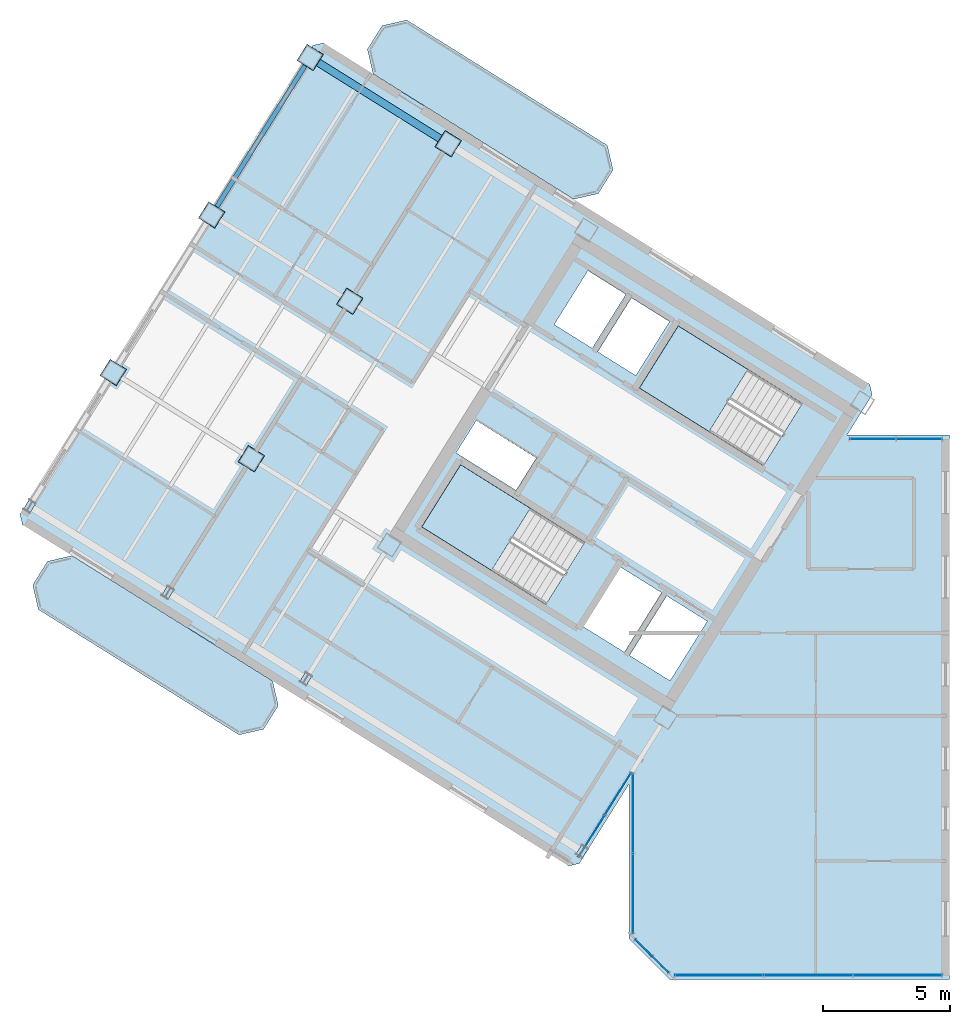
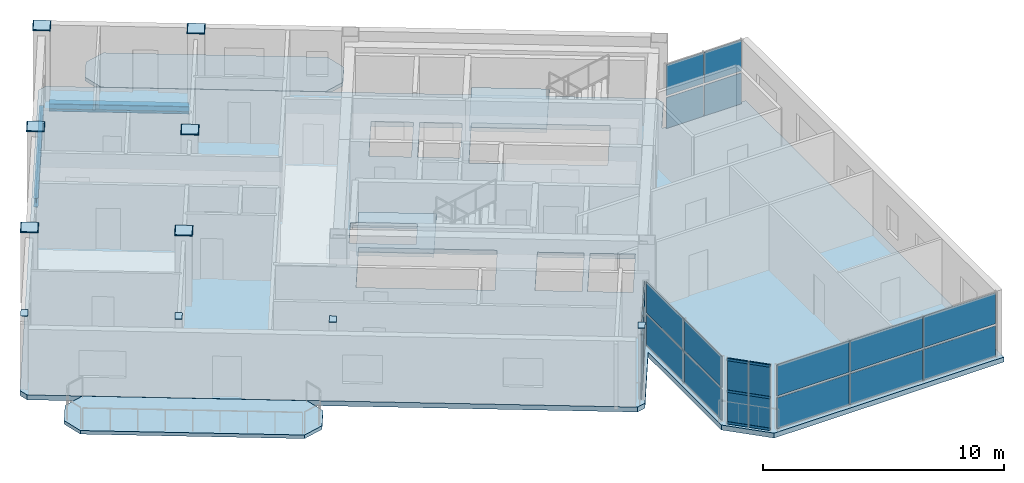
# One storey, part 6 of 13: 38 plates, 6 members, 5 slabs, 2 beams, 7 elements without a shape of their own.
"""IFC4 building model written with IfcOpenShell, lengths in metres."""

from ifc_helpers import new_model, si_unit, direction, frame, origin, origin_2d, place, context, subcontext, project, spatial, polyline, rectangle, hollow_rectangle, i_section, outline, extrude, source, transform, mapped, material, layer, layer_set, material_profile, profile_set, type_object, element, aggregate, save


model = new_model("IFC4")

# Units and contexts
model_context = context("Model", 3, precision=1e-05, world=origin(), true_north=direction((0.0, 1.0)))
body_context = subcontext(model_context, "Body", "Model", "MODEL_VIEW")
ifc_project = project(units=[si_unit("LENGTHUNIT", "METRE"), si_unit("AREAUNIT", "SQUARE_METRE"), si_unit("VOLUMEUNIT", "CUBIC_METRE"), si_unit("PLANEANGLEUNIT", "RADIAN"), si_unit("MASSUNIT", "GRAM", prefix="KILO")], contexts=[model_context])

# Site, building, storey
site_placement = place(None, origin())
site = spatial("IfcSite", under=ifc_project, at=site_placement, CompositionType="ELEMENT")
building_placement = place(site_placement, origin())
building = spatial("IfcBuilding", under=site, at=building_placement, Name="Tlacorven Tower", CompositionType="ELEMENT")
storey_placement = place(building_placement, frame((0.0, 0.0, 295.199951171875)))
storey = spatial("IfcBuildingStorey", under=building, at=storey_placement, Name="L75", CompositionType="ELEMENT", Elevation=295.199951171875)

# Beams
ifc_material_1 = material(Name="Steel S355J2", Category="steel")
ifc_material_profile_1 = material_profile(ifc_material_1, i_section(OverallWidth=0.300048828125, OverallDepth=0.389892578125, WebThickness=0.010986328125, FlangeThickness=0.01904296875, at=origin_2d()), Name="HEA 400")
ifc_profile_set_1 = profile_set([ifc_material_profile_1], Name="Steel S355J2")
beam_type_1 = type_object("IfcBeamType", Name="BM-SPN-400", PredefinedType="SPANDREL", material=ifc_profile_set_1)
shared_shape_1 = source(origin(), body_context, "Body", "SweptSolid", [
    extrude(i_section(OverallWidth=0.300048828125, OverallDepth=0.389892578125, WebThickness=0.010986328125, FlangeThickness=0.01904296875, at=origin_2d()), origin(), (0.0, 0.0, 1.0), 5.800048828125),
])
beam_1_placement = place(storey_placement, frame((24.24609375, 34.8017578125, -0.445068359375), z_axis=(-0.848052689693, 0.529911912967, 0.0), x_axis=(-0.529911912967, -0.848052689693, 0.0)))
element("IfcBeam", 1, at=beam_1_placement, inside=storey, type_object=beam_type_1, Name="L75 beam BM-L75-WL1-4", PredefinedType="SPANDREL", context=body_context, shape_type="MappedRepresentation", body=[
    mapped(shared_shape_1, transform((0.0, 0.0, 0.0), scale=1.0)),
])
ifc_material_profile_2 = material_profile(ifc_material_1, i_section(OverallWidth=0.18994140625, OverallDepth=0.449951171875, WebThickness=0.009521484375, FlangeThickness=0.0146484375, at=origin_2d()), Name="IPE 450")
ifc_profile_set_2 = profile_set([ifc_material_profile_2], Name="Steel S355J2")
beam_type_2 = type_object("IfcBeamType", Name="BM-TWR-450", PredefinedType="BEAM", material=ifc_profile_set_2)
shared_shape_2 = source(origin(), body_context, "Body", "SweptSolid", [
    extrude(i_section(OverallWidth=0.18994140625, OverallDepth=0.449951171875, WebThickness=0.009521484375, FlangeThickness=0.0146484375, at=origin_2d()), origin(), (0.0, 0.0, 1.0), 6.7001953125),
])
beam_2_placement = place(storey_placement, frame((18.9140625, 37.780029296875, -0.474853515625), z_axis=(-0.52991377951, -0.848051523367, 0.0), x_axis=(0.848051523367, -0.52991377951, 0.0)))
element("IfcBeam", 2, at=beam_2_placement, inside=storey, type_object=beam_type_2, Name="L75 beam BM-L75-WT5-1", PredefinedType="BEAM", context=body_context, shape_type="MappedRepresentation", body=[
    mapped(shared_shape_2, transform((0.0, 0.0, 0.0), scale=1.0)),
])

# Curtain wall, members
ifc_material_2 = material(Name="Dark solar low-E double glazing in aluminium frame", Category="aluminium")
curtain_wall_type = type_object("IfcCurtainWallType", Name="CW-TWR-HIGH", PredefinedType="USERDEFINED", material=ifc_material_2)
curtain_wall_1_placement = place(storey_placement, origin())
curtain_wall_1 = element("IfcCurtainWall", 3, at=curtain_wall_1_placement, inside=storey, type_object=curtain_wall_type, Name="L75 CW-TWR-HIGH Curtain Wall 350", ObjectType="UNITISED CURTAIN WALL", PredefinedType="USERDEFINED")
ifc_material_3 = material(Name="Aluminium 6063-T6 anodised", Category="aluminium")
ifc_material_profile_3 = material_profile(ifc_material_3, hollow_rectangle(XDim=0.054931640625, YDim=0.1201171875, WallThickness=0.00341796875, at=origin_2d()), Name="ALU TRANSOM 55X120")
ifc_profile_set_3 = profile_set([ifc_material_profile_3], Name="Aluminium 6063-T6 anodised")
member_type = type_object("IfcMemberType", Name="CWT-03", PredefinedType="USERDEFINED", material=ifc_profile_set_3)
shared_shape_3 = source(origin(), body_context, "Body", "SweptSolid", [
    extrude(hollow_rectangle(XDim=0.054931640625, YDim=0.1201171875, WallThickness=0.00341796875, at=origin_2d()), origin(), (0.0, 0.0, 1.0), 0.899169921875),
])
member_1_placement = place(storey_placement, frame((33.16162109375, 2.064697265625, 0.06005859375), z_axis=(-0.707106781187, 0.707106781187, 0.0), x_axis=(-0.707106781187, -0.707106781187, 0.0)))
member_1 = element("IfcMember", 4, at=member_1_placement, type_object=member_type, Name="CW-L75-350 Transom 1", ObjectType="TRANSOM", PredefinedType="USERDEFINED", context=body_context, shape_type="MappedRepresentation", body=[
    mapped(shared_shape_3, transform((0.0, 0.0, 0.0), scale=1.0)),
])
member_2_placement = place(storey_placement, frame((33.16162109375, 2.064697265625, 1.66015625), z_axis=(-0.707106781187, 0.707106781187, 0.0), x_axis=(-0.707106781187, -0.707106781187, 0.0)))
member_2 = element("IfcMember", 5, at=member_2_placement, type_object=member_type, Name="CW-L75-350 Transom 2", ObjectType="TRANSOM", PredefinedType="USERDEFINED", context=body_context, shape_type="MappedRepresentation", body=[
    mapped(shared_shape_3, transform((0.0, 0.0, 0.0), scale=1.0)),
])
member_3_placement = place(storey_placement, frame((33.16162109375, 2.064697265625, 3.260009765625), z_axis=(-0.707106781187, 0.707106781187, 0.0), x_axis=(-0.707106781187, -0.707106781187, 0.0)))
member_3 = element("IfcMember", 6, at=member_3_placement, type_object=member_type, Name="CW-L75-350 Transom 3", ObjectType="TRANSOM", PredefinedType="USERDEFINED", context=body_context, shape_type="MappedRepresentation", body=[
    mapped(shared_shape_3, transform((0.0, 0.0, 0.0), scale=1.0)),
])
member_4_placement = place(storey_placement, frame((32.50048828125, 2.725830078125, 0.06005859375), z_axis=(-0.707106781187, 0.707106781187, 0.0), x_axis=(-0.707106781187, -0.707106781187, 0.0)))
member_4 = element("IfcMember", 7, at=member_4_placement, type_object=member_type, Name="CW-L75-350 Transom 4", ObjectType="TRANSOM", PredefinedType="USERDEFINED", context=body_context, shape_type="MappedRepresentation", body=[
    mapped(shared_shape_3, transform((0.0, 0.0, 0.0), scale=1.0)),
])
member_5_placement = place(storey_placement, frame((32.50048828125, 2.725830078125, 1.66015625), z_axis=(-0.707106781187, 0.707106781187, 0.0), x_axis=(-0.707106781187, -0.707106781187, 0.0)))
member_5 = element("IfcMember", 8, at=member_5_placement, type_object=member_type, Name="CW-L75-350 Transom 5", ObjectType="TRANSOM", PredefinedType="USERDEFINED", context=body_context, shape_type="MappedRepresentation", body=[
    mapped(shared_shape_3, transform((0.0, 0.0, 0.0), scale=1.0)),
])
member_6_placement = place(storey_placement, frame((32.50048828125, 2.725830078125, 3.260009765625), z_axis=(-0.707106781187, 0.707106781187, 0.0), x_axis=(-0.707106781187, -0.707106781187, 0.0)))
member_6 = element("IfcMember", 9, at=member_6_placement, type_object=member_type, Name="CW-L75-350 Transom 6", ObjectType="TRANSOM", PredefinedType="USERDEFINED", context=body_context, shape_type="MappedRepresentation", body=[
    mapped(shared_shape_3, transform((0.0, 0.0, 0.0), scale=1.0)),
])

# Slabs
ifc_material_4 = material(Name="Precast concrete C45/55", Category="concrete")
ifc_layer_1 = layer(ifc_material_4, 0.179931640625)
ifc_layer_set_1 = layer_set([ifc_layer_1], Name="Precast concrete C45/55")
slab_type_1 = type_object("IfcSlabType", Name="SL-BAL-180", PredefinedType="USERDEFINED", material=ifc_layer_set_1)
slab_1_placement = place(storey_placement, frame((0.0, 0.0, -0.179931640625)))
element("IfcSlab", 10, at=slab_1_placement, inside=storey, type_object=slab_type_1, Name="L75 West Wing Balcony Ribbon OUT", ObjectType="BALCONY SLAB", PredefinedType="USERDEFINED", context=body_context, shape_type="SweptSolid", body=[
    extrude(outline(polyline([(17.601318359375, 13.52490234375), (9.71435546875, 18.453125), (8.749755859375, 18.23046875), (8.169677734375, 17.3017578125), (8.392333984375, 16.33740234375), (16.279052734375, 11.408935546875), (17.24365234375, 11.6318359375), (17.823974609375, 12.560302734375), (17.601318359375, 13.52490234375)])), origin(), (0.0, 0.0, 1.0), 0.179931640625),
])
slab_2_placement = place(storey_placement, frame((0.0, 0.0, -0.179931640625)))
element("IfcSlab", 11, at=slab_2_placement, inside=storey, type_object=slab_type_1, Name="L75 West Wing Balcony Ribbon IN", ObjectType="BALCONY SLAB", PredefinedType="USERDEFINED", context=body_context, shape_type="SweptSolid", body=[
    extrude(outline(polyline([(30.756591796875, 34.57763671875), (22.86962890625, 39.505859375), (21.905029296875, 39.283203125), (21.324951171875, 38.354736328125), (21.547607421875, 37.39013671875), (29.434326171875, 32.4619140625), (30.39892578125, 32.6845703125), (30.979248046875, 33.613037109375), (30.756591796875, 34.57763671875)])), origin(), (0.0, 0.0, 1.0), 0.179931640625),
])

# Stair, slab
ifc_material_5 = material(Name="Concrete C40/50", Category="concrete")
stair_type = type_object("IfcStairType", Name="ST-CORE-DLG", PredefinedType="HALF_TURN_STAIR", material=ifc_material_5)
stair_1_placement = place(storey_placement, origin())
stair_1 = element("IfcStair", 12, at=stair_1_placement, inside=storey, type_object=stair_type, Name="L75 Protected Exit Stair West 1", PredefinedType="HALF_TURN_STAIR")
ifc_layer_2 = layer(ifc_material_5, 0.199951171875)
ifc_layer_set_2 = layer_set([ifc_layer_2], Name="Concrete C40/50")
slab_type_2 = type_object("IfcSlabType", Name="SL-LND-200", PredefinedType="LANDING", material=ifc_layer_set_2)
slab_3_placement = place(storey_placement, frame((0.0, 0.0, 1.60009765625)))
slab_3 = element("IfcSlab", 13, at=slab_3_placement, type_object=slab_type_2, Name="ST-W1 landing 1", PredefinedType="LANDING", context=body_context, shape_type="SweptSolid", body=[
    extrude(outline(polyline([(27.728515625, 20.315185546875), (24.9892578125, 22.02685546875), (23.463134765625, 19.58447265625), (26.2021484375, 17.872802734375), (27.728515625, 20.315185546875)])), origin(), (0.0, 0.0, 1.0), 0.199951171875),
])
aggregate(stair_1, [slab_3])

stair_2_placement = place(storey_placement, origin())
stair_2 = element("IfcStair", 14, at=stair_2_placement, inside=storey, type_object=stair_type, Name="L75 Protected Exit Stair West 2", PredefinedType="HALF_TURN_STAIR")
slab_4_placement = place(storey_placement, frame((0.0, 0.0, 1.60009765625)))
slab_4 = element("IfcSlab", 15, at=slab_4_placement, type_object=slab_type_2, Name="ST-W2 landing 1", PredefinedType="LANDING", context=body_context, shape_type="SweptSolid", body=[
    extrude(outline(polyline([(36.280029296875, 25.772705078125), (33.540771484375, 27.484375), (32.0146484375, 25.0419921875), (34.75390625, 23.33056640625), (36.280029296875, 25.772705078125)])), origin(), (0.0, 0.0, 1.0), 0.199951171875),
])
aggregate(stair_2, [slab_4])

# Slab
ifc_layer_3 = layer(ifc_material_5, 0.25)
ifc_layer_set_3 = layer_set([ifc_layer_3], Name="Concrete C40/50")
slab_type_3 = type_object("IfcSlabType", Name="SL-TWR-250", PredefinedType="FLOOR", material=ifc_layer_set_3)
slab_5_placement = place(storey_placement, frame((0.0, 0.0, -0.25)))
element("IfcSlab", 16, at=slab_5_placement, inside=storey, type_object=slab_type_3, Name="L75 Boomerang Tower Floor Slab", PredefinedType="FLOOR", context=body_context, shape_type="SweptSolid", body=[
    extrude(outline(polyline([(44.199951171875, 23.199951171875), (44.199951171875, 1.800048828125), (33.199951171875, 1.800048828125), (31.60009765625, 3.39990234375), (31.60009765625, 9.470703125), (29.652587890625, 6.35400390625), (29.2392578125, 6.258544921875), (7.7666015625, 19.67626953125), (7.671142578125, 20.089599609375), (19.180908203125, 38.50927734375), (19.594482421875, 38.604736328125), (41.06689453125, 25.18701171875), (41.162353515625, 24.773681640625), (40.178955078125, 23.199951171875), (44.199951171875, 23.199951171875)]), holes=[polyline([(29.865478515625, 18.979736328125), (24.9892578125, 22.02685546875), (23.463134765625, 19.58447265625), (28.33935546875, 16.537353515625), (29.865478515625, 18.979736328125)]), polyline([(38.4169921875, 24.4375), (33.540771484375, 27.484375), (32.0146484375, 25.0419921875), (36.890869140625, 21.9951171875), (38.4169921875, 24.4375)]), polyline([(34.682373046875, 15.87548828125), (33.088134765625, 16.871826171875), (31.62548828125, 14.531005859375), (33.2197265625, 13.534912109375), (34.682373046875, 15.87548828125)]), polyline([(32.884521484375, 16.9990234375), (31.2392578125, 18.02685546875), (29.77685546875, 15.686279296875), (31.421875, 14.658203125), (32.884521484375, 16.9990234375)]), polyline([(33.197265625, 27.65185546875), (31.704833984375, 28.58447265625), (30.3798828125, 26.46435546875), (31.87255859375, 25.53173828125), (33.197265625, 27.65185546875)]), polyline([(31.484375, 28.722412109375), (29.99169921875, 29.655029296875), (28.6669921875, 27.534912109375), (30.159423828125, 26.602294921875), (31.484375, 28.722412109375)]), polyline([(27.96142578125, 22.2919921875), (25.603759765625, 23.76513671875), (24.80908203125, 22.4931640625), (27.16650390625, 21.02001953125), (27.96142578125, 22.2919921875)])]), origin(), (0.0, 0.0, 1.0), 0.25),
])

# Plates
ifc_material_6 = material(Name="Steel S460M", Category="steel")
ifc_layer_4 = layer(ifc_material_6, 0.02001953125)
ifc_layer_set_4 = layer_set([ifc_layer_4], Name="Steel S460M")
plate_type_1 = type_object("IfcPlateType", Name="PL-CAP-END2", PredefinedType="USERDEFINED", material=ifc_layer_set_4)
shared_shape_4 = source(origin(), body_context, "Body", "SweptSolid", [
    extrude(rectangle(XDim=0.760009765625, YDim=0.760009765625, at=origin_2d()), origin(), (0.0, 0.0, 1.0), 0.02001953125),
])
for number, where, z_axis, x_axis, name in (
    (17, (24.50048828125, 34.642822265625, 3.580078125), (0.0, 0.0, 1.0), (-0.848048096156, 0.529919264233, 0.0), "L75 Box Column Top Cap Plate COL-L75-W4-1"),
    (18, (20.632080078125, 28.4521484375, 3.580078125), (0.0, 0.0, 1.0), (-0.848048096156, 0.529919264233, 0.0), "L75 Box Column Top Cap Plate COL-L75-W4-2"),
    (19, (16.763671875, 22.26123046875, 3.580078125), (0.0, 0.0, 1.0), (-0.848048096156, 0.529919264233, 0.0), "L75 Box Column Top Cap Plate COL-L75-W4-3"),
    (20, (19.072998046875, 38.034423828125, 3.580078125), (0.0, 0.0, 1.0), (-0.848048096156, 0.529919264233, 0.0), "L75 Box Column Top Cap Plate COL-L75-W5-1"),
    (21, (15.20458984375, 31.843505859375, 3.580078125), (0.0, 0.0, 1.0), (-0.848048096156, 0.529919264233, 0.0), "L75 Box Column Top Cap Plate COL-L75-W5-2"),
    (22, (11.336181640625, 25.65283203125, 3.580078125), (0.0, 0.0, 1.0), (-0.848048096156, 0.529919264233, 0.0), "L75 Box Column Top Cap Plate COL-L75-W5-3"),
):
    element("IfcPlate", number, at=place(storey_placement, frame(where, z_axis=z_axis, x_axis=x_axis)), inside=storey, type_object=plate_type_1, Name=name, ObjectType="END PLATE", PredefinedType="USERDEFINED", context=body_context, shape_type="MappedRepresentation", body=[
        mapped(shared_shape_4, transform((0.0, 0.0, 0.0), scale=1.0)),
    ])
ifc_layer_5 = layer(ifc_material_6, 0.02392578125)
ifc_layer_set_5 = layer_set([ifc_layer_5], Name="Steel S460M")
plate_type_2 = type_object("IfcPlateType", Name="PL-CAP-END1", PredefinedType="USERDEFINED", material=ifc_layer_set_5)
shared_shape_5 = source(origin(), body_context, "Body", "SweptSolid", [
    extrude(rectangle(XDim=0.300048828125, YDim=0.449951171875, at=origin_2d()), origin(), (0.0, 0.0, 1.0), 0.02392578125),
])
for number, where, z_axis, x_axis, name in (
    (23, (29.7607421875, 6.8291015625, 3.59814453125), (0.0, 0.0, 1.0), (-0.848048096156, 0.529919264233, 0.0), "L75 Hollow Column Top Cap Plate COL-L75-W1-4"),
    (24, (18.905517578125, 13.612060546875, 3.59814453125), (0.0, 0.0, 1.0), (-0.848048096156, 0.529919264233, 0.0), "L75 Hollow Column Top Cap Plate COL-L75-W3-4"),
    (25, (13.47802734375, 17.00341796875, 3.59814453125), (0.0, 0.0, 1.0), (-0.848048096156, 0.529919264233, 0.0), "L75 Hollow Column Top Cap Plate COL-L75-W4-4"),
    (26, (8.050537109375, 20.39501953125, 3.59814453125), (0.0, 0.0, 1.0), (-0.848048096156, 0.529919264233, 0.0), "L75 Hollow Column Top Cap Plate COL-L75-W5-4"),
):
    element("IfcPlate", number, at=place(storey_placement, frame(where, z_axis=z_axis, x_axis=x_axis)), inside=storey, type_object=plate_type_2, Name=name, ObjectType="END PLATE", PredefinedType="USERDEFINED", context=body_context, shape_type="MappedRepresentation", body=[
        mapped(shared_shape_5, transform((0.0, 0.0, 0.0), scale=1.0)),
    ])
shared_shape_6 = source(origin(), body_context, "Body", "SweptSolid", [
    extrude(rectangle(XDim=0.699951171875, YDim=0.699951171875, at=origin_2d()), origin(), (0.0, 0.0, 1.0), 0.02392578125),
])
for number, where, z_axis, x_axis, name in (
    (27, (24.50048828125, 34.642822265625, 3.59814453125), (0.0, 0.0, 1.0), (-0.848048096156, 0.529919264233, 0.0), "L75 Hollow Column Top Cap Plate COL-L75-W4-1"),
    (28, (20.632080078125, 28.4521484375, 3.59814453125), (0.0, 0.0, 1.0), (-0.848048096156, 0.529919264233, 0.0), "L75 Hollow Column Top Cap Plate COL-L75-W4-2"),
    (29, (16.763671875, 22.26123046875, 3.59814453125), (0.0, 0.0, 1.0), (-0.848048096156, 0.529919264233, 0.0), "L75 Hollow Column Top Cap Plate COL-L75-W4-3"),
    (30, (19.072998046875, 38.034423828125, 3.59814453125), (0.0, 0.0, 1.0), (-0.848048096156, 0.529919264233, 0.0), "L75 Hollow Column Top Cap Plate COL-L75-W5-1"),
    (31, (15.20458984375, 31.843505859375, 3.59814453125), (0.0, 0.0, 1.0), (-0.848048096156, 0.529919264233, 0.0), "L75 Hollow Column Top Cap Plate COL-L75-W5-2"),
    (32, (11.336181640625, 25.65283203125, 3.59814453125), (0.0, 0.0, 1.0), (-0.848048096156, 0.529919264233, 0.0), "L75 Hollow Column Top Cap Plate COL-L75-W5-3"),
):
    element("IfcPlate", number, at=place(storey_placement, frame(where, z_axis=z_axis, x_axis=x_axis)), inside=storey, type_object=plate_type_2, Name=name, ObjectType="END PLATE", PredefinedType="USERDEFINED", context=body_context, shape_type="MappedRepresentation", body=[
        mapped(shared_shape_6, transform((0.0, 0.0, 0.0), scale=1.0)),
    ])

# Plate
ifc_material_7 = material(Name="High-wind dark solar tempered low-E glazing", Category="glass")
ifc_layer_6 = layer(ifc_material_7, 0.028076171875)
ifc_layer_set_6 = layer_set([ifc_layer_6], Name="High-wind dark solar tempered low-E glazing")
plate_type_3 = type_object("IfcPlateType", Name="CWP-03", PredefinedType="CURTAIN_PANEL", material=ifc_layer_set_6)
shared_shape_7 = source(origin(), body_context, "Body", "SweptSolid", [
    extrude(rectangle(XDim=0.89306640625, YDim=0.028076171875, at=origin_2d()), origin(), (0.0, 0.0, 1.0), 1.55810546875),
])
plate_1_placement = place(storey_placement, frame((32.84375, 2.382568359375, 0.051025390625), z_axis=(0.0, 0.0, 1.0), x_axis=(-0.707106781187, 0.707106781187, 0.0)))
plate_1 = element("IfcPlate", 33, at=plate_1_placement, type_object=plate_type_3, Name="CW-L75-350 Glazing Panel 1", PredefinedType="CURTAIN_PANEL", context=body_context, shape_type="MappedRepresentation", body=[
    mapped(shared_shape_7, transform((0.0, 0.0, 0.0), scale=1.0)),
])

plate_2_placement = place(storey_placement, frame((32.84375, 2.382568359375, 1.7109375), z_axis=(0.0, 0.0, 1.0), x_axis=(-0.707106781187, 0.707106781187, 0.0)))
plate_2 = element("IfcPlate", 34, at=plate_2_placement, type_object=plate_type_3, Name="CW-L75-350 Glazing Panel 2", PredefinedType="CURTAIN_PANEL", context=body_context, shape_type="MappedRepresentation", body=[
    mapped(shared_shape_7, transform((0.0, 0.0, 0.0), scale=1.0)),
])

plate_3_placement = place(storey_placement, frame((32.1826171875, 3.043701171875, 0.051025390625), z_axis=(0.0, 0.0, 1.0), x_axis=(-0.707106781187, 0.707106781187, 0.0)))
plate_3 = element("IfcPlate", 35, at=plate_3_placement, type_object=plate_type_3, Name="CW-L75-350 Glazing Panel 3", PredefinedType="CURTAIN_PANEL", context=body_context, shape_type="MappedRepresentation", body=[
    mapped(shared_shape_7, transform((0.0, 0.0, 0.0), scale=1.0)),
])

plate_4_placement = place(storey_placement, frame((32.1826171875, 3.043701171875, 1.7109375), z_axis=(0.0, 0.0, 1.0), x_axis=(-0.707106781187, 0.707106781187, 0.0)))
plate_4 = element("IfcPlate", 36, at=plate_4_placement, type_object=plate_type_3, Name="CW-L75-350 Glazing Panel 4", PredefinedType="CURTAIN_PANEL", context=body_context, shape_type="MappedRepresentation", body=[
    mapped(shared_shape_7, transform((0.0, 0.0, 0.0), scale=1.0)),
])

aggregate(curtain_wall_1, [member_1, member_2, member_3, plate_1, plate_2, member_4, member_5, member_6, plate_3, plate_4])

# Curtain wall, plates
curtain_wall_2_placement = place(storey_placement, origin())
curtain_wall_2 = element("IfcCurtainWall", 37, at=curtain_wall_2_placement, inside=storey, type_object=curtain_wall_type, Name="L75 CW-TWR-HIGH Curtain Wall 351", ObjectType="UNITISED CURTAIN WALL", PredefinedType="USERDEFINED")
shared_shape_8 = source(origin(), body_context, "Body", "SweptSolid", [
    extrude(rectangle(XDim=3.109130859375, YDim=0.028076171875, at=origin_2d()), origin(), (0.0, 0.0, 1.0), 1.55810546875),
])
plate_5_placement = place(storey_placement, frame((31.760009765625, 5.171875, 0.051025390625), z_axis=(0.0, 0.0, 1.0), x_axis=(0.0, 1.0, 0.0)))
plate_5 = element("IfcPlate", 38, at=plate_5_placement, type_object=plate_type_3, Name="CW-L75-351 Glazing Panel 1", PredefinedType="CURTAIN_PANEL", context=body_context, shape_type="MappedRepresentation", body=[
    mapped(shared_shape_8, transform((0.0, 0.0, 0.0), scale=1.0)),
])
plate_6_placement = place(storey_placement, frame((31.760009765625, 5.171875, 1.7109375), z_axis=(0.0, 0.0, 1.0), x_axis=(0.0, 1.0, 0.0)))
plate_6 = element("IfcPlate", 39, at=plate_6_placement, type_object=plate_type_3, Name="CW-L75-351 Glazing Panel 2", PredefinedType="CURTAIN_PANEL", context=body_context, shape_type="MappedRepresentation", body=[
    mapped(shared_shape_8, transform((0.0, 0.0, 0.0), scale=1.0)),
])
plate_7_placement = place(storey_placement, frame((31.760009765625, 8.322998046875, 0.051025390625), z_axis=(0.0, 0.0, 1.0), x_axis=(0.0, 1.0, 0.0)))
plate_7 = element("IfcPlate", 40, at=plate_7_placement, type_object=plate_type_3, Name="CW-L75-351 Glazing Panel 3", PredefinedType="CURTAIN_PANEL", context=body_context, shape_type="MappedRepresentation", body=[
    mapped(shared_shape_8, transform((0.0, 0.0, 0.0), scale=1.0)),
])
plate_8_placement = place(storey_placement, frame((31.760009765625, 8.322998046875, 1.7109375), z_axis=(0.0, 0.0, 1.0), x_axis=(0.0, 1.0, 0.0)))
plate_8 = element("IfcPlate", 41, at=plate_8_placement, type_object=plate_type_3, Name="CW-L75-351 Glazing Panel 4", PredefinedType="CURTAIN_PANEL", context=body_context, shape_type="MappedRepresentation", body=[
    mapped(shared_shape_8, transform((0.0, 0.0, 0.0), scale=1.0)),
])
aggregate(curtain_wall_2, [plate_5, plate_6, plate_7, plate_8])

curtain_wall_3_placement = place(storey_placement, origin())
curtain_wall_3 = element("IfcCurtainWall", 42, at=curtain_wall_3_placement, inside=storey, type_object=curtain_wall_type, Name="L75 CW-TWR-HIGH Curtain Wall 352", ObjectType="UNITISED CURTAIN WALL", PredefinedType="USERDEFINED")
shared_shape_9 = source(origin(), body_context, "Body", "SweptSolid", [
    extrude(rectangle(XDim=1.911376953125, YDim=0.028076171875, at=origin_2d()), origin(), (0.0, 0.0, 1.0), 1.55810546875),
])
plate_9_placement = place(storey_placement, frame((31.173583984375, 9.090087890625, 0.051025390625), z_axis=(0.0, 0.0, 1.0), x_axis=(-0.529918710919, -0.848048441905, 0.0)))
plate_9 = element("IfcPlate", 43, at=plate_9_placement, type_object=plate_type_3, Name="CW-L75-352 Glazing Panel 1", PredefinedType="CURTAIN_PANEL", context=body_context, shape_type="MappedRepresentation", body=[
    mapped(shared_shape_9, transform((0.0, 0.0, 0.0), scale=1.0)),
])
plate_10_placement = place(storey_placement, frame((31.173583984375, 9.090087890625, 1.7109375), z_axis=(0.0, 0.0, 1.0), x_axis=(-0.529918710919, -0.848048441905, 0.0)))
plate_10 = element("IfcPlate", 44, at=plate_10_placement, type_object=plate_type_3, Name="CW-L75-352 Glazing Panel 2", PredefinedType="CURTAIN_PANEL", context=body_context, shape_type="MappedRepresentation", body=[
    mapped(shared_shape_9, transform((0.0, 0.0, 0.0), scale=1.0)),
])
plate_11_placement = place(storey_placement, frame((30.138427734375, 7.43359375, 0.051025390625), z_axis=(0.0, 0.0, 1.0), x_axis=(-0.529918710919, -0.848048441905, 0.0)))
plate_11 = element("IfcPlate", 45, at=plate_11_placement, type_object=plate_type_3, Name="CW-L75-352 Glazing Panel 3", PredefinedType="CURTAIN_PANEL", context=body_context, shape_type="MappedRepresentation", body=[
    mapped(shared_shape_9, transform((0.0, 0.0, 0.0), scale=1.0)),
])
plate_12_placement = place(storey_placement, frame((30.138427734375, 7.43359375, 1.7109375), z_axis=(0.0, 0.0, 1.0), x_axis=(-0.529918710919, -0.848048441905, 0.0)))
plate_12 = element("IfcPlate", 46, at=plate_12_placement, type_object=plate_type_3, Name="CW-L75-352 Glazing Panel 4", PredefinedType="CURTAIN_PANEL", context=body_context, shape_type="MappedRepresentation", body=[
    mapped(shared_shape_9, transform((0.0, 0.0, 0.0), scale=1.0)),
])
aggregate(curtain_wall_3, [plate_9, plate_10, plate_11, plate_12])

curtain_wall_4_placement = place(storey_placement, origin())
curtain_wall_4 = element("IfcCurtainWall", 47, at=curtain_wall_4_placement, inside=storey, type_object=curtain_wall_type, Name="L75 CW-TWR-HIGH Curtain Wall 349", ObjectType="UNITISED CURTAIN WALL", PredefinedType="USERDEFINED")
shared_shape_10 = source(origin(), body_context, "Body", "SweptSolid", [
    extrude(rectangle(XDim=3.45263671875, YDim=0.028076171875, at=origin_2d()), origin(), (0.0, 0.0, 1.0), 1.55810546875),
])
plate_13_placement = place(storey_placement, frame((42.16259765625, 1.9599609375, 0.051025390625), z_axis=(0.0, 0.0, 1.0), x_axis=(-1.0, 0.0, 0.0)))
plate_13 = element("IfcPlate", 48, at=plate_13_placement, type_object=plate_type_3, Name="CW-L75-349 Glazing Panel 1", PredefinedType="CURTAIN_PANEL", context=body_context, shape_type="MappedRepresentation", body=[
    mapped(shared_shape_10, transform((0.0, 0.0, 0.0), scale=1.0)),
])
plate_14_placement = place(storey_placement, frame((42.16259765625, 1.9599609375, 1.7109375), z_axis=(0.0, 0.0, 1.0), x_axis=(-1.0, 0.0, 0.0)))
plate_14 = element("IfcPlate", 49, at=plate_14_placement, type_object=plate_type_3, Name="CW-L75-349 Glazing Panel 2", PredefinedType="CURTAIN_PANEL", context=body_context, shape_type="MappedRepresentation", body=[
    mapped(shared_shape_10, transform((0.0, 0.0, 0.0), scale=1.0)),
])
plate_15_placement = place(storey_placement, frame((35.1435546875, 1.9599609375, 0.051025390625), z_axis=(0.0, 0.0, 1.0), x_axis=(-1.0, 0.0, 0.0)))
plate_15 = element("IfcPlate", 50, at=plate_15_placement, type_object=plate_type_3, Name="CW-L75-349 Glazing Panel 5", PredefinedType="CURTAIN_PANEL", context=body_context, shape_type="MappedRepresentation", body=[
    mapped(shared_shape_10, transform((0.0, 0.0, 0.0), scale=1.0)),
])
plate_16_placement = place(storey_placement, frame((35.1435546875, 1.9599609375, 1.7109375), z_axis=(0.0, 0.0, 1.0), x_axis=(-1.0, 0.0, 0.0)))
plate_16 = element("IfcPlate", 51, at=plate_16_placement, type_object=plate_type_3, Name="CW-L75-349 Glazing Panel 6", PredefinedType="CURTAIN_PANEL", context=body_context, shape_type="MappedRepresentation", body=[
    mapped(shared_shape_10, transform((0.0, 0.0, 0.0), scale=1.0)),
])
shared_shape_11 = source(origin(), body_context, "Body", "SweptSolid", [
    extrude(rectangle(XDim=3.482666015625, YDim=0.028076171875, at=origin_2d()), origin(), (0.0, 0.0, 1.0), 1.55810546875),
])
plate_17_placement = place(storey_placement, frame((38.653076171875, 1.9599609375, 0.051025390625), z_axis=(0.0, 0.0, 1.0), x_axis=(-1.0, 0.0, 0.0)))
plate_17 = element("IfcPlate", 52, at=plate_17_placement, type_object=plate_type_3, Name="CW-L75-349 Glazing Panel 3", PredefinedType="CURTAIN_PANEL", context=body_context, shape_type="MappedRepresentation", body=[
    mapped(shared_shape_11, transform((0.0, 0.0, 0.0), scale=1.0)),
])
plate_18_placement = place(storey_placement, frame((38.653076171875, 1.9599609375, 1.7109375), z_axis=(0.0, 0.0, 1.0), x_axis=(-1.0, 0.0, 0.0)))
plate_18 = element("IfcPlate", 53, at=plate_18_placement, type_object=plate_type_3, Name="CW-L75-349 Glazing Panel 4", PredefinedType="CURTAIN_PANEL", context=body_context, shape_type="MappedRepresentation", body=[
    mapped(shared_shape_11, transform((0.0, 0.0, 0.0), scale=1.0)),
])
aggregate(curtain_wall_4, [plate_13, plate_14, plate_17, plate_18, plate_15, plate_16])

curtain_wall_5_placement = place(storey_placement, origin())
curtain_wall_5 = element("IfcCurtainWall", 54, at=curtain_wall_5_placement, inside=storey, type_object=curtain_wall_type, Name="L75 CW-TWR-HIGH Curtain Wall 353", ObjectType="UNITISED CURTAIN WALL", PredefinedType="USERDEFINED")
shared_shape_12 = source(origin(), body_context, "Body", "SweptSolid", [
    extrude(rectangle(XDim=1.776123046875, YDim=0.028076171875, at=origin_2d()), origin(), (0.0, 0.0, 1.0), 1.55810546875),
])
plate_19_placement = place(storey_placement, frame((41.182861328125, 23.0400390625, 0.051025390625), z_axis=(0.0, 0.0, 1.0), x_axis=(1.0, 0.0, 0.0)))
plate_19 = element("IfcPlate", 55, at=plate_19_placement, type_object=plate_type_3, Name="CW-L75-353 Glazing Panel 1", PredefinedType="CURTAIN_PANEL", context=body_context, shape_type="MappedRepresentation", body=[
    mapped(shared_shape_12, transform((0.0, 0.0, 0.0), scale=1.0)),
])
plate_20_placement = place(storey_placement, frame((41.182861328125, 23.0400390625, 1.7109375), z_axis=(0.0, 0.0, 1.0), x_axis=(1.0, 0.0, 0.0)))
plate_20 = element("IfcPlate", 56, at=plate_20_placement, type_object=plate_type_3, Name="CW-L75-353 Glazing Panel 2", PredefinedType="CURTAIN_PANEL", context=body_context, shape_type="MappedRepresentation", body=[
    mapped(shared_shape_12, transform((0.0, 0.0, 0.0), scale=1.0)),
])
plate_21_placement = place(storey_placement, frame((43.0009765625, 23.0400390625, 0.051025390625), z_axis=(0.0, 0.0, 1.0), x_axis=(1.0, 0.0, 0.0)))
plate_21 = element("IfcPlate", 57, at=plate_21_placement, type_object=plate_type_3, Name="CW-L75-353 Glazing Panel 3", PredefinedType="CURTAIN_PANEL", context=body_context, shape_type="MappedRepresentation", body=[
    mapped(shared_shape_12, transform((0.0, 0.0, 0.0), scale=1.0)),
])
plate_22_placement = place(storey_placement, frame((43.0009765625, 23.0400390625, 1.7109375), z_axis=(0.0, 0.0, 1.0), x_axis=(1.0, 0.0, 0.0)))
plate_22 = element("IfcPlate", 58, at=plate_22_placement, type_object=plate_type_3, Name="CW-L75-353 Glazing Panel 4", PredefinedType="CURTAIN_PANEL", context=body_context, shape_type="MappedRepresentation", body=[
    mapped(shared_shape_12, transform((0.0, 0.0, 0.0), scale=1.0)),
])
aggregate(curtain_wall_5, [plate_19, plate_20, plate_21, plate_22])

save(model, "model.ifc")
